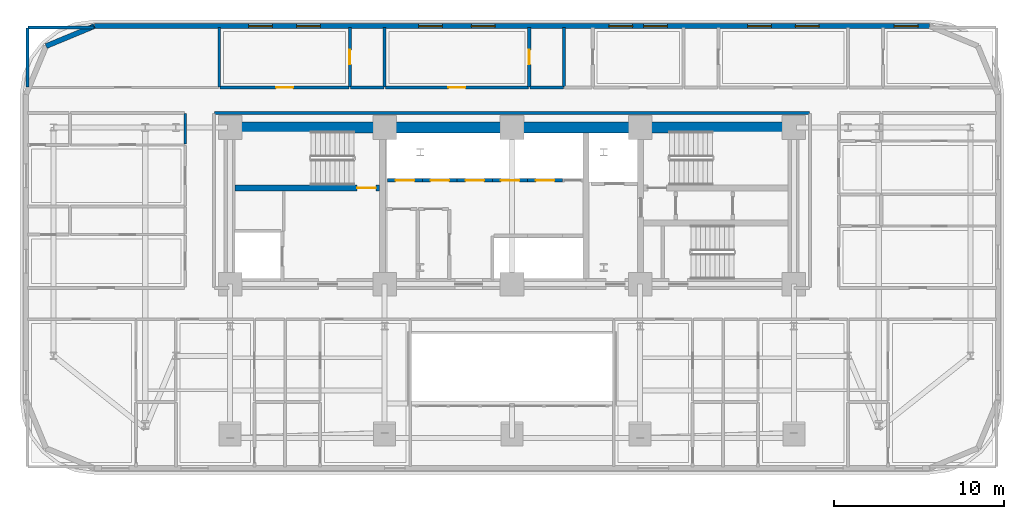
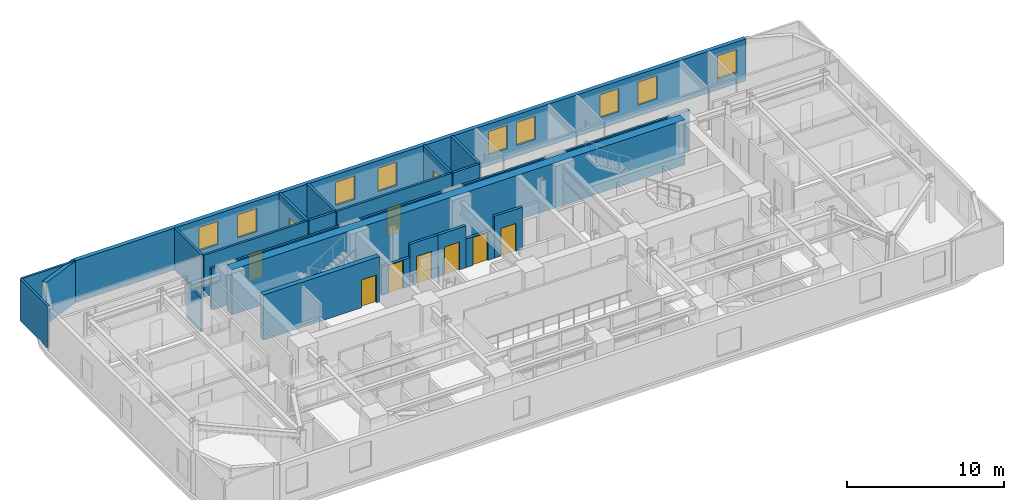
# One storey, part 10 of 16: 22 walls, 10 doors, 9 windows, 19 openings.
"""IFC4 building model written with IfcOpenShell, lengths in metres."""

import ifcopenshell
import ifcopenshell.guid

model = None  # the IFC model being written
_history = None  # IfcOwnerHistory: only IFC2X3 demands one
_inside = {}  # id of a spatial element -> (the spatial element, [elements in it])
_under = {}  # id of a project, library or spatial element -> (it, [spatial elements below it])
_declared = {}  # id of a project -> (the project, [libraries it declares])
_typed = {}  # id of a type object -> (the type object, [elements of that type])
_made_of = {}  # id of a material, layer set ... -> (it, [elements and type objects made of it])


def new_model(schema):
    """Start an empty IFC model of exactly this schema.

    Asked for "IFC4X3", IfcOpenShell would pick the latest addendum, in which some entities
    have other attributes; the version numbers below select the first issue.
    IFC2X3 requires an IfcOwnerHistory on every rooted entity: one is made here for all.
    """
    global model, _history
    if schema == "IFC4X3":
        model = ifcopenshell.file(schema_version=(4, 3, 0, 0))
    else:
        model = ifcopenshell.file(schema=schema)
    _inside.clear()
    _under.clear()
    _declared.clear()
    _typed.clear()
    _made_of.clear()
    _history = None
    if model.schema == "IFC2X3":
        org = make("IfcOrganization", Name="unknown")
        user = make(
            "IfcPersonAndOrganization",
            ThePerson=make("IfcPerson", FamilyName="unknown"),
            TheOrganization=org,
        )
        app = make(
            "IfcApplication",
            ApplicationDeveloper=org,
            Version="unknown",
            ApplicationFullName="unknown",
            ApplicationIdentifier="unknown",
        )
        _history = make(
            "IfcOwnerHistory",
            OwningUser=user,
            OwningApplication=app,
            ChangeAction="ADDED",
            CreationDate=0,
        )
    return model


def make(cls, **values):
    """One entity of the class cls with the attributes given. An attribute that is None is left unset."""
    return model.create_entity(
        cls, **{name: value for name, value in values.items() if value is not None}
    )


def rooted(cls, **values):
    """An entity with a GlobalId (a new one), such as an element, a storey or a relation."""
    return make(cls, GlobalId=ifcopenshell.guid.new(), OwnerHistory=_history, **values)


def si_unit(unit_type, name, prefix=None):
    """IfcSIUnit, for example si_unit("LENGTHUNIT", "METRE", prefix="MILLI")."""
    return make("IfcSIUnit", UnitType=unit_type, Prefix=prefix, Name=name)


def assignment(units):
    """IfcUnitAssignment: the units of a project."""
    return None if units is None else make("IfcUnitAssignment", Units=units)


def point(xyz):
    """IfcCartesianPoint."""
    return None if xyz is None else make("IfcCartesianPoint", Coordinates=xyz)


def direction(xyz):
    """IfcDirection."""
    return None if xyz is None else make("IfcDirection", DirectionRatios=xyz)


def frame(location, z_axis=None, x_axis=None):
    """IfcAxis2Placement3D, a coordinate frame: its origin and axes. An axis left out is left unset."""
    return make(
        "IfcAxis2Placement3D",
        Location=point(location),
        Axis=direction(z_axis),
        RefDirection=direction(x_axis),
    )


def frame_2d(location, x_axis=None):
    """IfcAxis2Placement2D, a coordinate frame in the plane: its origin and x axis."""
    return make(
        "IfcAxis2Placement2D", Location=point(location), RefDirection=direction(x_axis)
    )


def origin():
    """The frame at (0, 0, 0) with its axes left unset."""
    return frame((0.0, 0.0, 0.0))


def place(relative_to, where):
    """IfcLocalPlacement: puts the frame where relative to a parent placement (None: the world)."""
    return make(
        "IfcLocalPlacement", PlacementRelTo=relative_to, RelativePlacement=where
    )


def context(
    kind, dimensions, precision=None, world=None, true_north=None, identifier=None
):
    """IfcGeometricRepresentationContext, for example the 3D "Model" context."""
    return make(
        "IfcGeometricRepresentationContext",
        ContextIdentifier=identifier,
        ContextType=kind,
        CoordinateSpaceDimension=dimensions,
        Precision=precision,
        WorldCoordinateSystem=world,
        TrueNorth=true_north,
    )


def subcontext(parent, identifier, kind, view, scale=None):
    """IfcGeometricRepresentationSubContext, for example "Body" below "Model"."""
    return make(
        "IfcGeometricRepresentationSubContext",
        ContextIdentifier=identifier,
        ContextType=kind,
        ParentContext=parent,
        TargetScale=scale,
        TargetView=view,
    )


def project(units=None, contexts=None):
    """IfcProject with its units and contexts."""
    return rooted(
        "IfcProject",
        Name="project",
        RepresentationContexts=contexts,
        UnitsInContext=assignment(units),
    )


def spatial(cls, under=None, at=None, **own):
    """A site, building, storey or space (cls), placed at a placement, below another one or the project."""
    s = rooted(cls, ObjectPlacement=at, **own)
    if under is not None:
        _under.setdefault(under.id(), (under, []))[1].append(s)
    return s


def profile(cls, at=None, kind="AREA", **sizes):
    """A parametric profile (cls). Its sizes go by their IFC names, for example OverallWidth=200.0."""
    return make(cls, ProfileType=kind, Position=at, **sizes)


def rectangle(**sizes):
    """IfcRectangleProfileDef."""
    return profile("IfcRectangleProfileDef", **sizes)


def extrude(swept, where, along, depth):
    """IfcExtrudedAreaSolid: the profile swept, set in the frame where, extruded along a direction by depth."""
    return make(
        "IfcExtrudedAreaSolid",
        SweptArea=swept,
        Position=where,
        ExtrudedDirection=direction(along),
        Depth=depth,
    )


def shape(context_of_items, identifier, shape_type, items):
    """IfcShapeRepresentation: the items that make up one representation, for example the "Body"."""
    return make(
        "IfcShapeRepresentation",
        ContextOfItems=context_of_items,
        RepresentationIdentifier=identifier,
        RepresentationType=shape_type,
        Items=items,
    )


def material(Name=None, Category=None):
    """IfcMaterial."""
    return make("IfcMaterial", Name=Name, Category=Category)


def layer(
    of_material, thickness, ventilated=None, Name=None, Category=None, Priority=None
):
    """IfcMaterialLayer: one layer of a wall or slab, of a material (None: an air gap)."""
    return make(
        "IfcMaterialLayer",
        Material=of_material,
        LayerThickness=thickness,
        IsVentilated=ventilated,
        Name=Name,
        Category=Category,
        Priority=Priority,
    )


def layer_set(layers, Name=None):
    """IfcMaterialLayerSet."""
    return make("IfcMaterialLayerSet", MaterialLayers=layers, LayerSetName=Name)


def made_of(thing, what):
    """Note that an element or type object is made of a material, layer set ...; save() writes the relation."""
    if what is not None:
        _made_of.setdefault(what.id(), (what, []))[1].append(thing)
    return thing


def type_object(cls, material=None, **own):
    """A type object (cls), such as IfcWallType, which elements share."""
    return made_of(rooted(cls, **own), material)


def element(
    cls,
    number,
    at=None,
    inside=None,
    cuts=None,
    type_object=None,
    material=None,
    context=None,
    identifier="Body",
    shape_type=None,
    held_by="IfcProductDefinitionShape",
    body=None,
    shapes=None,
    **own,
):
    """One element of the class cls, such as IfcWall. Its Tag is "e" and its number.

    at: its placement. inside: the storey or other place that contains it. cuts: it is an
    opening in that element (IfcRelVoidsElement). A single representation is given by context,
    identifier, shape_type and body (its items); several are given by shapes. held_by: the class
    of the entity that holds the representations. save() writes the other relations.
    """
    e = rooted(cls, Tag="e%d" % number, ObjectPlacement=at, **own)
    if body is not None:
        shapes = [shape(context, identifier, shape_type, body)]
    if shapes is not None:
        e.Representation = make(held_by, Representations=shapes)
    if inside is not None:
        _inside.setdefault(inside.id(), (inside, []))[1].append(e)
    if cuts is not None:
        rooted(
            "IfcRelVoidsElement", RelatingBuildingElement=cuts, RelatedOpeningElement=e
        )
    if type_object is not None:
        _typed.setdefault(type_object.id(), (type_object, []))[1].append(e)
    return made_of(e, material)


def fill(opening, filler):
    """IfcRelFillsElement: the door or window that sits in an opening."""
    return rooted(
        "IfcRelFillsElement",
        RelatingOpeningElement=opening,
        RelatedBuildingElement=filler,
    )


def aggregate(whole, parts):
    """IfcRelAggregates: a whole, such as a stair, and the parts it consists of."""
    return rooted("IfcRelAggregates", RelatingObject=whole, RelatedObjects=parts)


def save(model, path):
    """Write the relations noted so far, then the file.

    IfcRelAggregates (storeys below a building ...), IfcRelContainedInSpatialStructure (elements
    in a storey), IfcRelDefinesByType, IfcRelAssociatesMaterial and IfcRelDeclares: one each for
    every whole, place, type object, material and project.
    """
    for whole, parts in _under.values():
        aggregate(whole, parts)
    for where, things in _inside.values():
        rooted(
            "IfcRelContainedInSpatialStructure",
            RelatedElements=things,
            RelatingStructure=where,
        )
    for kind, things in _typed.values():
        rooted("IfcRelDefinesByType", RelatedObjects=things, RelatingType=kind)
    for what, things in _made_of.values():
        rooted("IfcRelAssociatesMaterial", RelatedObjects=things, RelatingMaterial=what)
    for by, libraries in _declared.values():
        rooted("IfcRelDeclares", RelatingContext=by, RelatedDefinitions=libraries)
    model.write(path)


model = new_model("IFC4")

# Units and contexts
model_context = context("Model", 3, precision=1e-05, world=origin(), true_north=direction((0.0, 1.0)))
body_context = subcontext(model_context, "Body", "Model", "MODEL_VIEW")
ifc_project = project(units=[si_unit("LENGTHUNIT", "METRE"), si_unit("AREAUNIT", "SQUARE_METRE"), si_unit("VOLUMEUNIT", "CUBIC_METRE"), si_unit("PLANEANGLEUNIT", "RADIAN"), si_unit("MASSUNIT", "GRAM", prefix="KILO")], contexts=[model_context])

# Site, building, storey
site_placement = place(None, origin())
site = spatial("IfcSite", under=ifc_project, at=site_placement, CompositionType="ELEMENT")
building_placement = place(site_placement, origin())
building = spatial("IfcBuilding", under=site, at=building_placement, Name="Zarnavel Station Tower", CompositionType="ELEMENT")
storey_placement = place(building_placement, frame((0.0, 0.0, 79.300048828125)))
storey = spatial("IfcBuildingStorey", under=building, at=storey_placement, Name="L21", CompositionType="ELEMENT", Elevation=79.300048828125)

# Wall, opening, door
ifc_material_1 = material(Name="Concrete C50/60", Category="concrete")
ifc_layer_1 = layer(ifc_material_1, 0.35009765625)
ifc_layer_set_1 = layer_set([ifc_layer_1], Name="CW_350")
wall_type_1 = type_object("IfcWallType", Name="CW_350", PredefinedType="SHEAR", material=ifc_layer_set_1)
wall_1_placement = place(storey_placement, frame((21.0048828125, 33.47998046875, 0.0), z_axis=(0.0, 0.0, 1.0), x_axis=(-1.0, 0.0, 0.0)))
wall_1 = element("IfcWall", 1, at=wall_1_placement, inside=storey, type_object=wall_type_1, Name="L21 Rear Core Shear Wall DIV-H1", PredefinedType="SHEAR", context=body_context, shape_type="SweptSolid", body=[
    extrude(rectangle(XDim=8.52978515625, YDim=0.35009765625, at=frame_2d((4.264892578125, 0.0))), origin(), (0.0, 0.0, 1.0), 3.5),
])
opening_1_placement = place(wall_1_placement, frame((0.219970703125, 0.0, 0.0)))
opening_1 = element("IfcOpeningElement", 2, at=opening_1_placement, cuts=wall_1, Name="Opening FD01", PredefinedType="OPENING", context=body_context, shape_type="SweptSolid", body=[
    extrude(rectangle(XDim=1.10009765625, YDim=2.14990234375, at=frame_2d((0.550048828125, 1.074951171875))), frame((0.0, 0.18505859375, 0.0), z_axis=(0.0, -1.0, 0.0), x_axis=(1.0, 0.0, 0.0)), (0.0, 0.0, 1.0), 0.3701171875),
])
ifc_material_2 = material(Name="Painted Galvanised Steel and Hardwood Leaf", Category="steel")
door_type_1 = type_object("IfcDoorType", Name="ID_STAIR_1100", OperationType="NOTDEFINED", PredefinedType="DOOR", material=ifc_material_2)
door_1_placement = place(opening_1_placement, origin())
door_1 = element("IfcDoor", 3, at=door_1_placement, inside=storey, type_object=door_type_1, Name="L21 Stair ST1 Lobby Fire Door", OperationType="SINGLE_SWING_LEFT", OverallHeight=2.14990234375, OverallWidth=1.10009765625, PredefinedType="DOOR", context=body_context, shape_type="SweptSolid", body=[
    extrude(rectangle(XDim=1.10009765625, YDim=2.14990234375, at=frame_2d((0.550048828125, 1.074951171875))), frame((0.0, 0.02490234375, 0.0), z_axis=(0.0, -1.0, 0.0), x_axis=(1.0, 0.0, 0.0)), (0.0, 0.0, 1.0), 0.050048828125),
])
fill(opening_1, door_1)

# Wall
ifc_material_3 = material(Name="Concrete C60/75", Category="concrete")
ifc_layer_2 = layer(ifc_material_3, 0.64990234375)
ifc_layer_set_2 = layer_set([ifc_layer_2], Name="CW_650")
wall_type_2 = type_object("IfcWallType", Name="CW_650", PredefinedType="SHEAR", material=ifc_layer_set_2)
wall_2_placement = place(storey_placement, frame((12.14990234375, 37.050048828125, 0.0), z_axis=(0.0, 0.0, 1.0), x_axis=(1.0, 0.0, 0.0)))
element("IfcWall", 4, at=wall_2_placement, inside=storey, type_object=wall_type_2, Name="L21 Rear Core Shear Wall N", PredefinedType="SHEAR", context=body_context, shape_type="SweptSolid", body=[
    extrude(rectangle(XDim=33.22998046875, YDim=0.64990234375, at=frame_2d((16.614990234375, 0.0))), origin(), (0.0, 0.0, 1.0), 3.5),
])

# Wall, openings, windows
ifc_material_4 = material(Name="Precast concrete C45/55 (Dark Basalt Finish)", Category="masonry")
ifc_layer_3 = layer(ifc_material_4, 0.300048828125)
ifc_layer_set_3 = layer_set([ifc_layer_3], Name="EW_BASALT_300")
wall_type_3 = type_object("IfcWallType", Name="EW_BASALT_300", PredefinedType="SOLIDWALL", material=ifc_layer_set_3)
wall_3_placement = place(storey_placement, frame((4.199951171875, 43.02001953125, 0.0), z_axis=(0.0, 0.0, 1.0), x_axis=(1.0, 0.0, 0.0)))
wall_3 = element("IfcWall", 5, at=wall_3_placement, inside=storey, type_object=wall_type_3, Name="L21 Exterior Basalt Masonry Frame Wall 06", PredefinedType="SOLIDWALL", context=body_context, shape_type="SweptSolid", body=[
    extrude(rectangle(XDim=49.199951171875, YDim=0.300048828125, at=frame_2d((24.60009765625, 0.0))), origin(), (0.0, 0.0, 1.0), 3.239990234375),
])
opening_2_placement = place(wall_3_placement, frame((9.090087890625, 0.0, 0.85009765625)))
opening_2 = element("IfcOpeningElement", 6, at=opening_2_placement, cuts=wall_3, Name="Opening WN01", PredefinedType="OPENING", context=body_context, shape_type="SweptSolid", body=[
    extrude(rectangle(XDim=1.39990234375, YDim=1.800048828125, at=frame_2d((0.699951171875, 0.89990234375))), frame((0.0, 0.159912109375, 0.0), z_axis=(0.0, -1.0, 0.0), x_axis=(1.0, 0.0, 0.0)), (0.0, 0.0, 1.0), 0.320068359375),
])
opening_3_placement = place(wall_3_placement, frame((11.919921875, 0.0, 0.85009765625)))
opening_3 = element("IfcOpeningElement", 7, at=opening_3_placement, cuts=wall_3, Name="Opening WN01", PredefinedType="OPENING", context=body_context, shape_type="SweptSolid", body=[
    extrude(rectangle(XDim=1.39990234375, YDim=1.800048828125, at=frame_2d((0.699951171875, 0.89990234375))), frame((0.0, 0.159912109375, 0.0), z_axis=(0.0, -1.0, 0.0), x_axis=(1.0, 0.0, 0.0)), (0.0, 0.0, 1.0), 0.320068359375),
])
opening_4_placement = place(wall_3_placement, frame((19.10498046875, 0.0, 0.85009765625)))
opening_4 = element("IfcOpeningElement", 8, at=opening_4_placement, cuts=wall_3, Name="Opening WN01", PredefinedType="OPENING", context=body_context, shape_type="SweptSolid", body=[
    extrude(rectangle(XDim=1.39990234375, YDim=1.800048828125, at=frame_2d((0.699951171875, 0.89990234375))), frame((0.0, 0.159912109375, 0.0), z_axis=(0.0, -1.0, 0.0), x_axis=(1.0, 0.0, 0.0)), (0.0, 0.0, 1.0), 0.320068359375),
])
opening_5_placement = place(wall_3_placement, frame((22.2099609375, 0.0, 0.85009765625)))
opening_5 = element("IfcOpeningElement", 9, at=opening_5_placement, cuts=wall_3, Name="Opening WN01", PredefinedType="OPENING", context=body_context, shape_type="SweptSolid", body=[
    extrude(rectangle(XDim=1.39990234375, YDim=1.800048828125, at=frame_2d((0.699951171875, 0.89990234375))), frame((0.0, 0.159912109375, 0.0), z_axis=(0.0, -1.0, 0.0), x_axis=(1.0, 0.0, 0.0)), (0.0, 0.0, 1.0), 0.320068359375),
])
opening_6_placement = place(wall_3_placement, frame((30.305908203125, 0.0, 0.85009765625)))
opening_6 = element("IfcOpeningElement", 10, at=opening_6_placement, cuts=wall_3, Name="Opening WN01", PredefinedType="OPENING", context=body_context, shape_type="SweptSolid", body=[
    extrude(rectangle(XDim=1.39990234375, YDim=1.800048828125, at=frame_2d((0.699951171875, 0.89990234375))), frame((0.0, 0.159912109375, 0.0), z_axis=(0.0, -1.0, 0.0), x_axis=(1.0, 0.0, 0.0)), (0.0, 0.0, 1.0), 0.320068359375),
])
opening_7_placement = place(wall_3_placement, frame((32.35693359375, 0.0, 0.85009765625)))
opening_7 = element("IfcOpeningElement", 11, at=opening_7_placement, cuts=wall_3, Name="Opening WN01", PredefinedType="OPENING", context=body_context, shape_type="SweptSolid", body=[
    extrude(rectangle(XDim=1.39990234375, YDim=1.800048828125, at=frame_2d((0.699951171875, 0.89990234375))), frame((0.0, 0.159912109375, 0.0), z_axis=(0.0, -1.0, 0.0), x_axis=(1.0, 0.0, 0.0)), (0.0, 0.0, 1.0), 0.320068359375),
])
opening_8_placement = place(wall_3_placement, frame((38.471923828125, 0.0, 0.85009765625)))
opening_8 = element("IfcOpeningElement", 12, at=opening_8_placement, cuts=wall_3, Name="Opening WN01", PredefinedType="OPENING", context=body_context, shape_type="SweptSolid", body=[
    extrude(rectangle(XDim=1.39990234375, YDim=1.800048828125, at=frame_2d((0.699951171875, 0.89990234375))), frame((0.0, 0.159912109375, 0.0), z_axis=(0.0, -1.0, 0.0), x_axis=(1.0, 0.0, 0.0)), (0.0, 0.0, 1.0), 0.320068359375),
])
opening_9_placement = place(wall_3_placement, frame((41.285888671875, 0.0, 0.85009765625)))
opening_9 = element("IfcOpeningElement", 13, at=opening_9_placement, cuts=wall_3, Name="Opening WN01", PredefinedType="OPENING", context=body_context, shape_type="SweptSolid", body=[
    extrude(rectangle(XDim=1.39990234375, YDim=1.800048828125, at=frame_2d((0.699951171875, 0.89990234375))), frame((0.0, 0.159912109375, 0.0), z_axis=(0.0, -1.0, 0.0), x_axis=(1.0, 0.0, 0.0)), (0.0, 0.0, 1.0), 0.320068359375),
])
opening_10_placement = place(wall_3_placement, frame((47.114990234375, 0.0, 0.85009765625)))
opening_10 = element("IfcOpeningElement", 14, at=opening_10_placement, cuts=wall_3, Name="Opening WN01", PredefinedType="OPENING", context=body_context, shape_type="SweptSolid", body=[
    extrude(rectangle(XDim=1.39990234375, YDim=1.800048828125, at=frame_2d((0.699951171875, 0.89990234375))), frame((0.0, 0.159912109375, 0.0), z_axis=(0.0, -1.0, 0.0), x_axis=(1.0, 0.0, 0.0)), (0.0, 0.0, 1.0), 0.320068359375),
])
ifc_material_5 = material(Name="Thermally Broken Black Aluminium and Low-E Dark Glass", Category="aluminium")
window_type = type_object("IfcWindowType", Name="WN_1400x1800", PartitioningType="DOUBLE_PANEL_VERTICAL", PredefinedType="WINDOW", material=ifc_material_5)
window_1_placement = place(opening_2_placement, origin())
window_1 = element("IfcWindow", 15, at=window_1_placement, inside=storey, type_object=window_type, Name="L21 Recessed Facade Window 01", OverallHeight=1.800048828125, OverallWidth=1.39990234375, PartitioningType="SINGLE_PANEL", PredefinedType="WINDOW", context=body_context, shape_type="SweptSolid", body=[
    extrude(rectangle(XDim=1.39990234375, YDim=1.800048828125, at=frame_2d((0.699951171875, 0.89990234375))), frame((0.0, 0.030029296875, 0.0), z_axis=(0.0, -1.0, 0.0), x_axis=(1.0, 0.0, 0.0)), (0.0, 0.0, 1.0), 0.06005859375),
])
fill(opening_2, window_1)
window_2_placement = place(opening_3_placement, origin())
window_2 = element("IfcWindow", 16, at=window_2_placement, inside=storey, type_object=window_type, Name="L21 Recessed Facade Window 02", OverallHeight=1.800048828125, OverallWidth=1.39990234375, PartitioningType="SINGLE_PANEL", PredefinedType="WINDOW", context=body_context, shape_type="SweptSolid", body=[
    extrude(rectangle(XDim=1.39990234375, YDim=1.800048828125, at=frame_2d((0.699951171875, 0.89990234375))), frame((0.0, 0.030029296875, 0.0), z_axis=(0.0, -1.0, 0.0), x_axis=(1.0, 0.0, 0.0)), (0.0, 0.0, 1.0), 0.06005859375),
])
fill(opening_3, window_2)
window_3_placement = place(opening_4_placement, origin())
window_3 = element("IfcWindow", 17, at=window_3_placement, inside=storey, type_object=window_type, Name="L21 Recessed Facade Window 03", OverallHeight=1.800048828125, OverallWidth=1.39990234375, PartitioningType="SINGLE_PANEL", PredefinedType="WINDOW", context=body_context, shape_type="SweptSolid", body=[
    extrude(rectangle(XDim=1.39990234375, YDim=1.800048828125, at=frame_2d((0.699951171875, 0.89990234375))), frame((0.0, 0.030029296875, 0.0), z_axis=(0.0, -1.0, 0.0), x_axis=(1.0, 0.0, 0.0)), (0.0, 0.0, 1.0), 0.06005859375),
])
fill(opening_4, window_3)
window_4_placement = place(opening_5_placement, origin())
window_4 = element("IfcWindow", 18, at=window_4_placement, inside=storey, type_object=window_type, Name="L21 Recessed Facade Window 04", OverallHeight=1.800048828125, OverallWidth=1.39990234375, PartitioningType="SINGLE_PANEL", PredefinedType="WINDOW", context=body_context, shape_type="SweptSolid", body=[
    extrude(rectangle(XDim=1.39990234375, YDim=1.800048828125, at=frame_2d((0.699951171875, 0.89990234375))), frame((0.0, 0.030029296875, 0.0), z_axis=(0.0, -1.0, 0.0), x_axis=(1.0, 0.0, 0.0)), (0.0, 0.0, 1.0), 0.06005859375),
])
fill(opening_5, window_4)
window_5_placement = place(opening_6_placement, origin())
window_5 = element("IfcWindow", 19, at=window_5_placement, inside=storey, type_object=window_type, Name="L21 Recessed Facade Window 05", OverallHeight=1.800048828125, OverallWidth=1.39990234375, PartitioningType="SINGLE_PANEL", PredefinedType="WINDOW", context=body_context, shape_type="SweptSolid", body=[
    extrude(rectangle(XDim=1.39990234375, YDim=1.800048828125, at=frame_2d((0.699951171875, 0.89990234375))), frame((0.0, 0.030029296875, 0.0), z_axis=(0.0, -1.0, 0.0), x_axis=(1.0, 0.0, 0.0)), (0.0, 0.0, 1.0), 0.06005859375),
])
fill(opening_6, window_5)
window_6_placement = place(opening_7_placement, origin())
window_6 = element("IfcWindow", 20, at=window_6_placement, inside=storey, type_object=window_type, Name="L21 Recessed Facade Window 06", OverallHeight=1.800048828125, OverallWidth=1.39990234375, PartitioningType="SINGLE_PANEL", PredefinedType="WINDOW", context=body_context, shape_type="SweptSolid", body=[
    extrude(rectangle(XDim=1.39990234375, YDim=1.800048828125, at=frame_2d((0.699951171875, 0.89990234375))), frame((0.0, 0.030029296875, 0.0), z_axis=(0.0, -1.0, 0.0), x_axis=(1.0, 0.0, 0.0)), (0.0, 0.0, 1.0), 0.06005859375),
])
fill(opening_7, window_6)
window_7_placement = place(opening_8_placement, origin())
window_7 = element("IfcWindow", 21, at=window_7_placement, inside=storey, type_object=window_type, Name="L21 Recessed Facade Window 07", OverallHeight=1.800048828125, OverallWidth=1.39990234375, PartitioningType="SINGLE_PANEL", PredefinedType="WINDOW", context=body_context, shape_type="SweptSolid", body=[
    extrude(rectangle(XDim=1.39990234375, YDim=1.800048828125, at=frame_2d((0.699951171875, 0.89990234375))), frame((0.0, 0.030029296875, 0.0), z_axis=(0.0, -1.0, 0.0), x_axis=(1.0, 0.0, 0.0)), (0.0, 0.0, 1.0), 0.06005859375),
])
fill(opening_8, window_7)
window_8_placement = place(opening_9_placement, origin())
window_8 = element("IfcWindow", 22, at=window_8_placement, inside=storey, type_object=window_type, Name="L21 Recessed Facade Window 08", OverallHeight=1.800048828125, OverallWidth=1.39990234375, PartitioningType="SINGLE_PANEL", PredefinedType="WINDOW", context=body_context, shape_type="SweptSolid", body=[
    extrude(rectangle(XDim=1.39990234375, YDim=1.800048828125, at=frame_2d((0.699951171875, 0.89990234375))), frame((0.0, 0.030029296875, 0.0), z_axis=(0.0, -1.0, 0.0), x_axis=(1.0, 0.0, 0.0)), (0.0, 0.0, 1.0), 0.06005859375),
])
fill(opening_9, window_8)
window_9_placement = place(opening_10_placement, origin())
window_9 = element("IfcWindow", 23, at=window_9_placement, inside=storey, type_object=window_type, Name="L21 Recessed Facade Window 09", OverallHeight=1.800048828125, OverallWidth=1.39990234375, PartitioningType="SINGLE_PANEL", PredefinedType="WINDOW", context=body_context, shape_type="SweptSolid", body=[
    extrude(rectangle(XDim=1.39990234375, YDim=1.800048828125, at=frame_2d((0.699951171875, 0.89990234375))), frame((0.0, 0.030029296875, 0.0), z_axis=(0.0, -1.0, 0.0), x_axis=(1.0, 0.0, 0.0)), (0.0, 0.0, 1.0), 0.06005859375),
])
fill(opening_10, window_9)

# Walls
wall_4_placement = place(storey_placement, frame((1.357421875, 41.842529296875, 0.0), z_axis=(0.0, 0.0, 1.0), x_axis=(0.923870793506, 0.382704529509, 0.0)))
element("IfcWall", 24, at=wall_4_placement, inside=storey, type_object=wall_type_3, Name="L21 Exterior Basalt Masonry Frame Wall 07", PredefinedType="SOLIDWALL", context=body_context, shape_type="SweptSolid", body=[
    extrude(rectangle(XDim=3.07666015625, YDim=0.300048828125, at=frame_2d((1.538330078125, 0.0))), origin(), (0.0, 0.0, 1.0), 3.239990234375),
])
ifc_material_6 = material(Name="Gypsum Twin-Stud Acoustic Fire Partition", Category="concrete")
ifc_layer_4 = layer(ifc_material_6, 0.159912109375)
ifc_layer_set_4 = layer_set([ifc_layer_4], Name="PT_DEMISE_160")
wall_type_4 = type_object("IfcWallType", Name="PT_DEMISE_160", PredefinedType="PARTITIONING", material=ifc_layer_set_4)
wall_5_placement = place(storey_placement, frame((9.550048828125, 36.06689453125, 0.0), z_axis=(0.0, 0.0, 1.0), x_axis=(0.0, 1.0, 0.0)))
element("IfcWall", 25, at=wall_5_placement, inside=storey, type_object=wall_type_4, Name="L21 Partition COR-W-FNW2S", PredefinedType="PARTITIONING", context=body_context, shape_type="SweptSolid", body=[
    extrude(rectangle(XDim=1.793212890625, YDim=0.159912109375, at=frame_2d((0.896484375, 0.0))), origin(), (0.0, 0.0, 1.0), 2.719970703125),
])

# Wall, opening, door
wall_6_placement = place(storey_placement, frame((11.60009765625, 39.39990234375, 0.0), z_axis=(0.0, 0.0, 1.0), x_axis=(1.0, 0.0, 0.0)))
wall_6 = element("IfcWall", 26, at=wall_6_placement, inside=storey, type_object=wall_type_4, Name="L21 Partition COR-N-HN1R", PredefinedType="PARTITIONING", context=body_context, shape_type="SweptSolid", body=[
    extrude(rectangle(XDim=7.60986328125, YDim=0.159912109375, at=frame_2d((3.804931640625, 0.0))), origin(), (0.0, 0.0, 1.0), 3.239990234375),
])
opening_11_placement = place(wall_6_placement, frame((3.304931640625, 0.0, 0.0)))
opening_11 = element("IfcOpeningElement", 27, at=opening_11_placement, cuts=wall_6, Name="Opening FD02", PredefinedType="OPENING", context=body_context, shape_type="SweptSolid", body=[
    extrude(rectangle(XDim=1.0, YDim=2.14990234375, at=frame_2d((0.5, 1.074951171875))), frame((0.0, 0.08984375, 0.0), z_axis=(0.0, -1.0, 0.0), x_axis=(1.0, 0.0, 0.0)), (0.0, 0.0, 1.0), 0.179931640625),
])
ifc_material_7 = material(Name="Painted Galvanised Steel and Hardwood Leaf", Category="steel")
door_type_2 = type_object("IfcDoorType", Name="ID_ENTRY_1000", OperationType="NOTDEFINED", PredefinedType="DOOR", material=ifc_material_7)
door_2_placement = place(opening_11_placement, origin())
door_2 = element("IfcDoor", 28, at=door_2_placement, inside=storey, type_object=door_type_2, Name="L21 Door COR-N-HN1R", OperationType="SINGLE_SWING_RIGHT", OverallHeight=2.14990234375, OverallWidth=1.0, PredefinedType="DOOR", context=body_context, shape_type="SweptSolid", body=[
    extrude(rectangle(XDim=1.0, YDim=2.14990234375, at=frame_2d((0.5, 1.074951171875))), frame((0.0, 0.02490234375, 0.0), z_axis=(0.0, -1.0, 0.0), x_axis=(1.0, 0.0, 0.0)), (0.0, 0.0, 1.0), 0.050048828125),
])
fill(opening_11, door_2)

wall_7_placement = place(storey_placement, frame((21.340087890625, 39.39990234375, 0.0), z_axis=(0.0, 0.0, 1.0), x_axis=(1.0, 0.0, 0.0)))
wall_7 = element("IfcWall", 29, at=wall_7_placement, inside=storey, type_object=wall_type_4, Name="L21 Partition COR-N-HN2R", PredefinedType="PARTITIONING", context=body_context, shape_type="SweptSolid", body=[
    extrude(rectangle(XDim=8.434814453125, YDim=0.159912109375, at=frame_2d((4.21728515625, 0.0))), origin(), (0.0, 0.0, 1.0), 3.239990234375),
])
opening_12_placement = place(wall_7_placement, frame((3.717529296875, 0.0, 0.0)))
opening_12 = element("IfcOpeningElement", 30, at=opening_12_placement, cuts=wall_7, Name="Opening FD02", PredefinedType="OPENING", context=body_context, shape_type="SweptSolid", body=[
    extrude(rectangle(XDim=1.0, YDim=2.14990234375, at=frame_2d((0.5, 1.074951171875))), frame((0.0, 0.08984375, 0.0), z_axis=(0.0, -1.0, 0.0), x_axis=(1.0, 0.0, 0.0)), (0.0, 0.0, 1.0), 0.179931640625),
])
door_3_placement = place(opening_12_placement, origin())
door_3 = element("IfcDoor", 31, at=door_3_placement, inside=storey, type_object=door_type_2, Name="L21 Door COR-N-HN2R", OperationType="SINGLE_SWING_LEFT", OverallHeight=2.14990234375, OverallWidth=1.0, PredefinedType="DOOR", context=body_context, shape_type="SweptSolid", body=[
    extrude(rectangle(XDim=1.0, YDim=2.14990234375, at=frame_2d((0.5, 1.074951171875))), frame((0.0, 0.02490234375, 0.0), z_axis=(0.0, -1.0, 0.0), x_axis=(1.0, 0.0, 0.0)), (0.0, 0.0, 1.0), 0.050048828125),
])
fill(opening_12, door_3)

# Walls
wall_8_placement = place(storey_placement, frame((11.56005859375, 39.43994140625, 0.0), z_axis=(0.0, 0.0, 1.0), x_axis=(0.0, 1.0, 0.0)))
element("IfcWall", 32, at=wall_8_placement, inside=storey, type_object=wall_type_4, Name="L21 Partition HSKP-HN1R", PredefinedType="PARTITIONING", context=body_context, shape_type="SweptSolid", body=[
    extrude(rectangle(XDim=3.5, YDim=0.159912109375, at=frame_2d((1.75, 0.0))), origin(), (0.0, 0.0, 1.0), 3.239990234375),
])
wall_9_placement = place(storey_placement, frame((11.280029296875, 37.89990234375, 0.0), z_axis=(0.0, 0.0, 1.0), x_axis=(1.0, 0.0, 0.0)))
element("IfcWall", 33, at=wall_9_placement, inside=storey, type_object=wall_type_4, Name="L21 Enclosure Wall COR-N", PredefinedType="PARTITIONING", context=body_context, shape_type="SweptSolid", body=[
    extrude(rectangle(XDim=35.0400390625, YDim=0.159912109375, at=frame_2d((17.52001953125, 0.0))), origin(), (0.0, 0.0, 1.0), 3.239990234375),
])
wall_10_placement = place(storey_placement, frame((0.2900390625, 42.93994140625, 0.0), z_axis=(0.0, 0.0, 1.0), x_axis=(1.0, 0.0, 0.0)))
element("IfcWall", 34, at=wall_10_placement, inside=storey, type_object=wall_type_4, Name="L21 Enclosure Wall HSKP", PredefinedType="PARTITIONING", context=body_context, shape_type="SweptSolid", body=[
    extrude(rectangle(XDim=3.8798828125, YDim=0.159912109375, at=frame_2d((1.93994140625, 0.0))), origin(), (0.0, 0.0, 1.0), 3.239990234375),
])
wall_11_placement = place(storey_placement, frame((0.260009765625, 39.429931640625, 0.0), z_axis=(0.0, 0.0, 1.0), x_axis=(0.0, 1.0, 0.0)))
element("IfcWall", 35, at=wall_11_placement, inside=storey, type_object=wall_type_4, Name="L21 Enclosure Wall HSKP", PredefinedType="PARTITIONING", context=body_context, shape_type="SweptSolid", body=[
    extrude(rectangle(XDim=3.47998046875, YDim=0.159912109375, at=frame_2d((1.739990234375, 0.0))), origin(), (0.0, 0.0, 1.0), 3.239990234375),
])

# Wall, opening, door
ifc_material_8 = material(Name="Precast concrete C45/55 (Fire Shaft Blockwork)", Category="masonry")
ifc_layer_5 = layer(ifc_material_8, 0.199951171875)
ifc_layer_set_5 = layer_set([ifc_layer_5], Name="PT_SHAFT_200")
wall_type_5 = type_object("IfcWallType", Name="PT_SHAFT_200", PredefinedType="PARTITIONING", material=ifc_layer_set_5)
wall_12_placement = place(storey_placement, frame((21.4599609375, 33.929931640625, 0.0), z_axis=(0.0, 0.0, 1.0), x_axis=(1.0, 0.0, 0.0)))
wall_12 = element("IfcWall", 36, at=wall_12_placement, inside=storey, type_object=wall_type_5, Name="L21 Lift PL-L1 Shaft Front Wall", PredefinedType="PARTITIONING", context=body_context, shape_type="SweptSolid", body=[
    extrude(rectangle(XDim=2.06494140625, YDim=0.199951171875, at=frame_2d((1.032470703125, 0.0))), origin(), (0.0, 0.0, 1.0), 2.2119140625),
])
opening_13_placement = place(wall_12_placement, frame((0.482421875, 0.0, 0.0)))
opening_13 = element("IfcOpeningElement", 37, at=opening_13_placement, cuts=wall_12, Name="Opening LD02", PredefinedType="OPENING", context=body_context, shape_type="SweptSolid", body=[
    extrude(rectangle(XDim=1.10009765625, YDim=2.14990234375, at=frame_2d((0.550048828125, 1.074951171875))), frame((0.0, 0.10986328125, 0.0), z_axis=(0.0, -1.0, 0.0), x_axis=(1.0, 0.0, 0.0)), (0.0, 0.0, 1.0), 0.219970703125),
])
ifc_material_9 = material(Name="Painted Galvanised Steel and Hardwood Leaf", Category="steel")
door_type_3 = type_object("IfcDoorType", Name="LD_PAX_1100", OperationType="DOUBLE_DOOR_SLIDING", PredefinedType="DOOR", material=ifc_material_9)
door_4_placement = place(opening_13_placement, origin())
door_4 = element("IfcDoor", 38, at=door_4_placement, inside=storey, type_object=door_type_3, Name="L21 Lift PL-L1 Sliding Landing Door", OperationType="DOUBLE_DOOR_SLIDING", OverallHeight=2.14990234375, OverallWidth=1.10009765625, PredefinedType="DOOR", context=body_context, shape_type="SweptSolid", body=[
    extrude(rectangle(XDim=1.10009765625, YDim=2.14990234375, at=frame_2d((0.550048828125, 1.074951171875))), frame((0.0, 0.02490234375, 0.0), z_axis=(0.0, -1.0, 0.0), x_axis=(1.0, 0.0, 0.0)), (0.0, 0.0, 1.0), 0.050048828125),
])
fill(opening_13, door_4)

wall_13_placement = place(storey_placement, frame((23.52490234375, 33.929931640625, 0.0), z_axis=(0.0, 0.0, 1.0), x_axis=(1.0, 0.0, 0.0)))
wall_13 = element("IfcWall", 39, at=wall_13_placement, inside=storey, type_object=wall_type_5, Name="L21 Lift PL-L2 Shaft Front Wall", PredefinedType="PARTITIONING", context=body_context, shape_type="SweptSolid", body=[
    extrude(rectangle(XDim=2.050048828125, YDim=0.199951171875, at=frame_2d((1.02490234375, 0.0))), origin(), (0.0, 0.0, 1.0), 3.239990234375),
])
opening_14_placement = place(wall_13_placement, frame((0.47509765625, 0.0, 0.0)))
opening_14 = element("IfcOpeningElement", 40, at=opening_14_placement, cuts=wall_13, Name="Opening LD02", PredefinedType="OPENING", context=body_context, shape_type="SweptSolid", body=[
    extrude(rectangle(XDim=1.10009765625, YDim=2.14990234375, at=frame_2d((0.550048828125, 1.074951171875))), frame((0.0, 0.10986328125, 0.0), z_axis=(0.0, -1.0, 0.0), x_axis=(1.0, 0.0, 0.0)), (0.0, 0.0, 1.0), 0.219970703125),
])
door_5_placement = place(opening_14_placement, origin())
door_5 = element("IfcDoor", 41, at=door_5_placement, inside=storey, type_object=door_type_3, Name="L21 Lift PL-L2 Sliding Landing Door", OperationType="DOUBLE_DOOR_SLIDING", OverallHeight=2.14990234375, OverallWidth=1.10009765625, PredefinedType="DOOR", context=body_context, shape_type="SweptSolid", body=[
    extrude(rectangle(XDim=1.10009765625, YDim=2.14990234375, at=frame_2d((0.550048828125, 1.074951171875))), frame((0.0, 0.02490234375, 0.0), z_axis=(0.0, -1.0, 0.0), x_axis=(1.0, 0.0, 0.0)), (0.0, 0.0, 1.0), 0.050048828125),
])
fill(opening_14, door_5)

wall_14_placement = place(storey_placement, frame((25.574951171875, 33.929931640625, 0.0), z_axis=(0.0, 0.0, 1.0), x_axis=(1.0, 0.0, 0.0)))
wall_14 = element("IfcWall", 42, at=wall_14_placement, inside=storey, type_object=wall_type_5, Name="L21 Lift PL-L3 Shaft Front Wall", PredefinedType="PARTITIONING", context=body_context, shape_type="SweptSolid", body=[
    extrude(rectangle(XDim=2.074951171875, YDim=0.199951171875, at=frame_2d((1.03759765625, 0.0))), origin(), (0.0, 0.0, 1.0), 3.239990234375),
])
opening_15_placement = place(wall_14_placement, frame((0.487548828125, 0.0, 0.0)))
opening_15 = element("IfcOpeningElement", 43, at=opening_15_placement, cuts=wall_14, Name="Opening LD02", PredefinedType="OPENING", context=body_context, shape_type="SweptSolid", body=[
    extrude(rectangle(XDim=1.10009765625, YDim=2.14990234375, at=frame_2d((0.550048828125, 1.074951171875))), frame((0.0, 0.10986328125, 0.0), z_axis=(0.0, -1.0, 0.0), x_axis=(1.0, 0.0, 0.0)), (0.0, 0.0, 1.0), 0.219970703125),
])
door_6_placement = place(opening_15_placement, origin())
door_6 = element("IfcDoor", 44, at=door_6_placement, inside=storey, type_object=door_type_3, Name="L21 Lift PL-L3 Sliding Landing Door", OperationType="DOUBLE_DOOR_SLIDING", OverallHeight=2.14990234375, OverallWidth=1.10009765625, PredefinedType="DOOR", context=body_context, shape_type="SweptSolid", body=[
    extrude(rectangle(XDim=1.10009765625, YDim=2.14990234375, at=frame_2d((0.550048828125, 1.074951171875))), frame((0.0, 0.02490234375, 0.0), z_axis=(0.0, -1.0, 0.0), x_axis=(1.0, 0.0, 0.0)), (0.0, 0.0, 1.0), 0.050048828125),
])
fill(opening_15, door_6)

wall_15_placement = place(storey_placement, frame((27.64990234375, 33.929931640625, 0.0), z_axis=(0.0, 0.0, 1.0), x_axis=(1.0, 0.0, 0.0)))
wall_15 = element("IfcWall", 45, at=wall_15_placement, inside=storey, type_object=wall_type_5, Name="L21 Lift PL-M1 Shaft Front Wall", PredefinedType="PARTITIONING", context=body_context, shape_type="SweptSolid", body=[
    extrude(rectangle(XDim=2.0751953125, YDim=0.199951171875, at=frame_2d((1.03759765625, 0.0))), origin(), (0.0, 0.0, 1.0), 2.2119140625),
])
opening_16_placement = place(wall_15_placement, frame((0.487548828125, 0.0, 0.0)))
opening_16 = element("IfcOpeningElement", 46, at=opening_16_placement, cuts=wall_15, Name="Opening LD02", PredefinedType="OPENING", context=body_context, shape_type="SweptSolid", body=[
    extrude(rectangle(XDim=1.10009765625, YDim=2.14990234375, at=frame_2d((0.550048828125, 1.074951171875))), frame((0.0, 0.10986328125, 0.0), z_axis=(0.0, -1.0, 0.0), x_axis=(1.0, 0.0, 0.0)), (0.0, 0.0, 1.0), 0.219970703125),
])
door_7_placement = place(opening_16_placement, origin())
door_7 = element("IfcDoor", 47, at=door_7_placement, inside=storey, type_object=door_type_3, Name="L21 Lift PL-M1 Sliding Landing Door", OperationType="DOUBLE_DOOR_SLIDING", OverallHeight=2.14990234375, OverallWidth=1.10009765625, PredefinedType="DOOR", context=body_context, shape_type="SweptSolid", body=[
    extrude(rectangle(XDim=1.10009765625, YDim=2.14990234375, at=frame_2d((0.550048828125, 1.074951171875))), frame((0.0, 0.02490234375, 0.0), z_axis=(0.0, -1.0, 0.0), x_axis=(1.0, 0.0, 0.0)), (0.0, 0.0, 1.0), 0.050048828125),
])
fill(opening_16, door_7)

wall_16_placement = place(storey_placement, frame((29.72509765625, 33.929931640625, 0.0), z_axis=(0.0, 0.0, 1.0), x_axis=(1.0, 0.0, 0.0)))
wall_16 = element("IfcWall", 48, at=wall_16_placement, inside=storey, type_object=wall_type_5, Name="L21 Lift PL-M2 Shaft Front Wall", PredefinedType="PARTITIONING", context=body_context, shape_type="SweptSolid", body=[
    extrude(rectangle(XDim=2.0498046875, YDim=0.199951171875, at=frame_2d((1.02490234375, 0.0))), origin(), (0.0, 0.0, 1.0), 3.239990234375),
])
opening_17_placement = place(wall_16_placement, frame((0.47509765625, 0.0, 0.0)))
opening_17 = element("IfcOpeningElement", 49, at=opening_17_placement, cuts=wall_16, Name="Opening LD02", PredefinedType="OPENING", context=body_context, shape_type="SweptSolid", body=[
    extrude(rectangle(XDim=1.10009765625, YDim=2.14990234375, at=frame_2d((0.550048828125, 1.074951171875))), frame((0.0, 0.10986328125, 0.0), z_axis=(0.0, -1.0, 0.0), x_axis=(1.0, 0.0, 0.0)), (0.0, 0.0, 1.0), 0.219970703125),
])
door_8_placement = place(opening_17_placement, origin())
door_8 = element("IfcDoor", 50, at=door_8_placement, inside=storey, type_object=door_type_3, Name="L21 Lift PL-M2 Sliding Landing Door", OperationType="DOUBLE_DOOR_SLIDING", OverallHeight=2.14990234375, OverallWidth=1.10009765625, PredefinedType="DOOR", context=body_context, shape_type="SweptSolid", body=[
    extrude(rectangle(XDim=1.10009765625, YDim=2.14990234375, at=frame_2d((0.550048828125, 1.074951171875))), frame((0.0, 0.02490234375, 0.0), z_axis=(0.0, -1.0, 0.0), x_axis=(1.0, 0.0, 0.0)), (0.0, 0.0, 1.0), 0.050048828125),
])
fill(opening_17, door_8)

# Walls
ifc_material_10 = material(Name="Moisture-Resistant Plumbing Chase Wall", Category="concrete")
ifc_layer_6 = layer(ifc_material_10, 0.179931640625)
ifc_layer_set_6 = layer_set([ifc_layer_6], Name="PW_PLUMB_180")
wall_type_6 = type_object("IfcWallType", Name="PW_PLUMB_180", PredefinedType="PLUMBINGWALL", material=ifc_layer_set_6)
for number, where, z_axis, x_axis, name in (
    (51, (19.2900390625, 39.39990234375, 0.0), (0.0, 0.0, 1.0), (1.0, 0.0, 0.0), "L21 Partition COR-N-HN1B"),
    (52, (29.85498046875, 39.39990234375, 0.0), (0.0, 0.0, 1.0), (1.0, 0.0, 0.0), "L21 Partition COR-N-HN2B"),
):
    element("IfcWall", number, at=place(storey_placement, frame(where, z_axis=z_axis, x_axis=x_axis)), inside=storey, type_object=wall_type_6, Name=name, PredefinedType="PLUMBINGWALL", context=body_context, shape_type="SweptSolid", body=[
        extrude(rectangle(XDim=1.969970703125, YDim=0.179931640625, at=frame_2d((0.98486328125, 0.0))), origin(), (0.0, 0.0, 1.0), 3.239990234375),
    ])

# Wall, opening, door
wall_17_placement = place(storey_placement, frame((19.25, 39.43994140625, 0.0), z_axis=(0.0, 0.0, 1.0), x_axis=(0.0, 1.0, 0.0)))
wall_17 = element("IfcWall", 53, at=wall_17_placement, inside=storey, type_object=wall_type_6, Name="L21 Partition HN1R-HN1B", PredefinedType="PLUMBINGWALL", context=body_context, shape_type="SweptSolid", body=[
    extrude(rectangle(XDim=3.5, YDim=0.179931640625, at=frame_2d((1.75, 0.0))), origin(), (0.0, 0.0, 1.0), 3.239990234375),
])
opening_18_placement = place(wall_17_placement, frame((1.324951171875, 0.0, 0.0)))
opening_18 = element("IfcOpeningElement", 54, at=opening_18_placement, cuts=wall_17, Name="Opening ID02", PredefinedType="OPENING", context=body_context, shape_type="SweptSolid", body=[
    extrude(rectangle(XDim=0.85009765625, YDim=2.10009765625, at=frame_2d((0.425048828125, 1.050048828125))), frame((0.0, 0.099853515625, 0.0), z_axis=(0.0, -1.0, 0.0), x_axis=(1.0, 0.0, 0.0)), (0.0, 0.0, 1.0), 0.199951171875),
])
ifc_material_11 = material(Name="Painted Galvanised Steel and Hardwood Leaf", Category="steel")
door_type_4 = type_object("IfcDoorType", Name="ID_BATH_850", OperationType="NOTDEFINED", PredefinedType="DOOR", material=ifc_material_11)
door_9_placement = place(opening_18_placement, origin())
door_9 = element("IfcDoor", 55, at=door_9_placement, inside=storey, type_object=door_type_4, Name="L21 Door HN1R-HN1B", OperationType="SINGLE_SWING_LEFT", OverallHeight=2.10009765625, OverallWidth=0.85009765625, PredefinedType="DOOR", context=body_context, shape_type="SweptSolid", body=[
    extrude(rectangle(XDim=0.85009765625, YDim=2.10009765625, at=frame_2d((0.425048828125, 1.050048828125))), frame((0.0, 0.02490234375, 0.0), z_axis=(0.0, -1.0, 0.0), x_axis=(1.0, 0.0, 0.0)), (0.0, 0.0, 1.0), 0.050048828125),
])
fill(opening_18, door_9)

# Wall
wall_18_placement = place(storey_placement, frame((21.300048828125, 39.43994140625, 0.0), z_axis=(0.0, 0.0, 1.0), x_axis=(0.0, 1.0, 0.0)))
element("IfcWall", 56, at=wall_18_placement, inside=storey, type_object=wall_type_6, Name="L21 Partition HN1B-HN2R", PredefinedType="PLUMBINGWALL", context=body_context, shape_type="SweptSolid", body=[
    extrude(rectangle(XDim=3.5, YDim=0.179931640625, at=frame_2d((1.75, 0.0))), origin(), (0.0, 0.0, 1.0), 3.239990234375),
])

# Wall, opening, door
wall_19_placement = place(storey_placement, frame((29.81494140625, 39.43994140625, 0.0), z_axis=(0.0, 0.0, 1.0), x_axis=(0.0, 1.0, 0.0)))
wall_19 = element("IfcWall", 57, at=wall_19_placement, inside=storey, type_object=wall_type_6, Name="L21 Partition HN2R-HN2B", PredefinedType="PLUMBINGWALL", context=body_context, shape_type="SweptSolid", body=[
    extrude(rectangle(XDim=3.5, YDim=0.179931640625, at=frame_2d((1.75, 0.0))), origin(), (0.0, 0.0, 1.0), 3.239990234375),
])
opening_19_placement = place(wall_19_placement, frame((1.324951171875, 0.0, 0.0)))
opening_19 = element("IfcOpeningElement", 58, at=opening_19_placement, cuts=wall_19, Name="Opening ID02", PredefinedType="OPENING", context=body_context, shape_type="SweptSolid", body=[
    extrude(rectangle(XDim=0.85009765625, YDim=2.10009765625, at=frame_2d((0.425048828125, 1.050048828125))), frame((0.0, 0.099853515625, 0.0), z_axis=(0.0, -1.0, 0.0), x_axis=(1.0, 0.0, 0.0)), (0.0, 0.0, 1.0), 0.199951171875),
])
door_10_placement = place(opening_19_placement, origin())
door_10 = element("IfcDoor", 59, at=door_10_placement, inside=storey, type_object=door_type_4, Name="L21 Door HN2R-HN2B", OperationType="SINGLE_SWING_RIGHT", OverallHeight=2.10009765625, OverallWidth=0.85009765625, PredefinedType="DOOR", context=body_context, shape_type="SweptSolid", body=[
    extrude(rectangle(XDim=0.85009765625, YDim=2.10009765625, at=frame_2d((0.425048828125, 1.050048828125))), frame((0.0, 0.02490234375, 0.0), z_axis=(0.0, -1.0, 0.0), x_axis=(1.0, 0.0, 0.0)), (0.0, 0.0, 1.0), 0.050048828125),
])
fill(opening_19, door_10)

# Wall
wall_20_placement = place(storey_placement, frame((31.864990234375, 39.43994140625, 0.0), z_axis=(0.0, 0.0, 1.0), x_axis=(0.0, 1.0, 0.0)))
element("IfcWall", 60, at=wall_20_placement, inside=storey, type_object=wall_type_6, Name="L21 Partition HN2B-HN3B", PredefinedType="PLUMBINGWALL", context=body_context, shape_type="SweptSolid", body=[
    extrude(rectangle(XDim=3.5, YDim=0.179931640625, at=frame_2d((1.75, 0.0))), origin(), (0.0, 0.0, 1.0), 3.239990234375),
])

save(model, "model.ifc")
